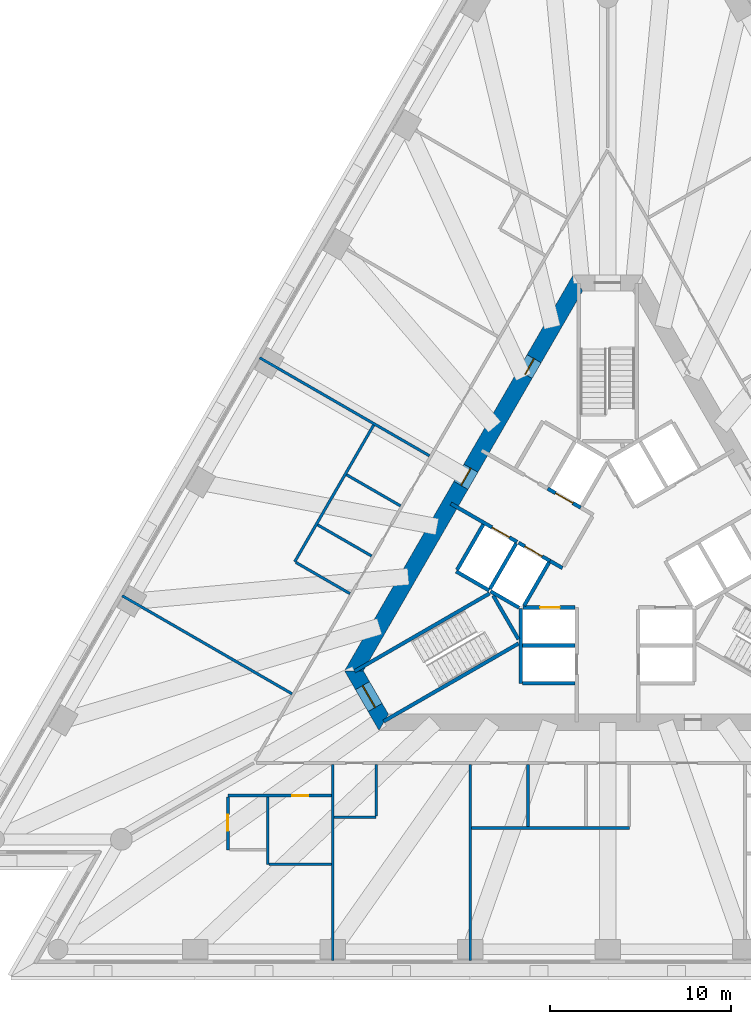
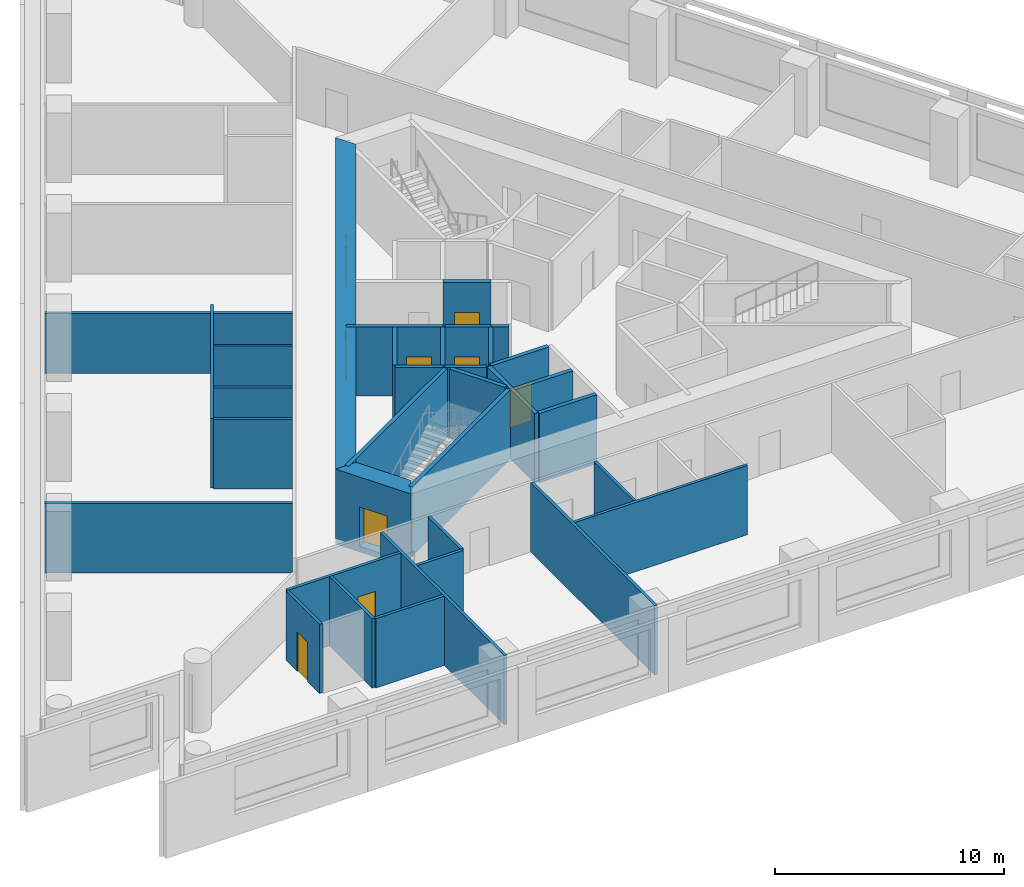
# One storey, part 3 of 11: 34 walls, 9 doors, 9 openings.
"""IFC4 building model written with IfcOpenShell, lengths in metres."""

from ifc_helpers import new_model, si_unit, direction, frame, frame_2d, origin, place, context, subcontext, project, spatial, polyline, rectangle, outline, extrude, material, layer, layer_set, type_object, element, fill, save


model = new_model("IFC4")

# Units and contexts
model_context = context("Model", 3, precision=1e-05, world=origin(), true_north=direction((0.0, 1.0)))
body_context = subcontext(model_context, "Body", "Model", "MODEL_VIEW")
ifc_project = project(units=[si_unit("LENGTHUNIT", "METRE"), si_unit("AREAUNIT", "SQUARE_METRE"), si_unit("VOLUMEUNIT", "CUBIC_METRE"), si_unit("PLANEANGLEUNIT", "RADIAN"), si_unit("MASSUNIT", "GRAM", prefix="KILO")], contexts=[model_context])

# Site, building, storey
site_placement = place(None, origin())
site = spatial("IfcSite", under=ifc_project, at=site_placement, CompositionType="ELEMENT")
building_placement = place(site_placement, origin())
building = spatial("IfcBuilding", under=site, at=building_placement, Name="Triada Interchange Tower", CompositionType="ELEMENT")
storey_placement = place(building_placement, frame((0.0, 0.0, 43.300048828125)))
storey = spatial("IfcBuildingStorey", under=building, at=storey_placement, Name="L08", CompositionType="ELEMENT", Elevation=43.300048828125)

# Walls
ifc_material_1 = material(Name="Concrete C30/37", Category="concrete")
ifc_layer_1 = layer(ifc_material_1, 0.199951171875)
ifc_layer_set_1 = layer_set([ifc_layer_1], Name="CORE WALL 200 EI 120")
wall_type_1 = type_object("IfcWallType", Name="CORE WALL 200 EI 120", PredefinedType="SOLIDWALL", material=ifc_layer_set_1)
wall_1_placement = place(storey_placement, frame((-8.3759765625, -0.70703125, 0.0), z_axis=(0.0, 0.0, 1.0), x_axis=(0.866067520717, -0.499927044236, 0.0)))
element("IfcWall", 1, at=wall_1_placement, inside=storey, type_object=wall_type_1, Name="Wall L06 46", PredefinedType="SOLIDWALL", context=body_context, shape_type="SweptSolid", body=[
    extrude(rectangle(XDim=2.100341796875, YDim=0.199951171875, at=frame_2d((1.05029296875, 0.0))), origin(), (0.0, 0.0, 1.0), 3.699951171875),
])
wall_2_placement = place(storey_placement, frame((-8.325927734375, -0.6201171875, 0.0), z_axis=(0.0, 0.0, 1.0), x_axis=(0.500023687443, 0.866011727401, 0.0)))
element("IfcWall", 2, at=wall_2_placement, inside=storey, type_object=wall_type_1, Name="Wall L06 47", PredefinedType="SOLIDWALL", context=body_context, shape_type="SweptSolid", body=[
    extrude(rectangle(XDim=2.899658203125, YDim=0.199951171875, at=frame_2d((1.44970703125, 0.0))), origin(), (0.0, 0.0, 1.0), 3.699951171875),
])
wall_3_placement = place(storey_placement, frame((-4.699951171875, -4.800048828125, 0.0), z_axis=(0.0, 0.0, 1.0), x_axis=(1.0, 0.0, 0.0)))
element("IfcWall", 3, at=wall_3_placement, inside=storey, type_object=wall_type_1, Name="Wall L06 48", PredefinedType="SOLIDWALL", context=body_context, shape_type="SweptSolid", body=[
    extrude(rectangle(XDim=2.89990234375, YDim=0.199951171875, at=frame_2d((1.449951171875, 0.0))), origin(), (0.0, 0.0, 1.0), 3.699951171875),
])
wall_4_placement = place(storey_placement, frame((-4.800048828125, -6.89990234375, 0.0), z_axis=(0.0, 0.0, 1.0), x_axis=(0.0, 1.0, 0.0)))
element("IfcWall", 4, at=wall_4_placement, inside=storey, type_object=wall_type_1, Name="Wall L06 50", PredefinedType="SOLIDWALL", context=body_context, shape_type="SweptSolid", body=[
    extrude(rectangle(XDim=4.130859375, YDim=0.199951171875, at=frame_2d((2.0654296875, 0.0))), origin(), (0.0, 0.0, 1.0), 3.699951171875),
])
wall_5_placement = place(storey_placement, frame((-4.699951171875, -6.89990234375, 0.0), z_axis=(0.0, 0.0, 1.0), x_axis=(1.0, 0.0, 0.0)))
element("IfcWall", 5, at=wall_5_placement, inside=storey, type_object=wall_type_1, Name="Wall L06 51", PredefinedType="SOLIDWALL", context=body_context, shape_type="SweptSolid", body=[
    extrude(rectangle(XDim=2.89990234375, YDim=0.199951171875, at=frame_2d((1.449951171875, 0.0))), origin(), (0.0, 0.0, 1.0), 3.699951171875),
])

# Wall, opening, door
wall_6_placement = place(storey_placement, frame((-4.676025390625, -2.699951171875, 0.0), z_axis=(0.0, 0.0, 1.0), x_axis=(1.0, 0.0, 0.0)))
wall_6 = element("IfcWall", 6, at=wall_6_placement, inside=storey, type_object=wall_type_1, Name="Wall L06 54", PredefinedType="SOLIDWALL", context=body_context, shape_type="SweptSolid", body=[
    extrude(rectangle(XDim=2.873046875, YDim=0.199951171875, at=frame_2d((1.4365234375, 0.0))), origin(), (0.0, 0.0, 1.0), 3.699951171875),
])
opening_1_placement = place(wall_6_placement, frame((0.93701171875, 0.0, 0.0)))
opening_1 = element("IfcOpeningElement", 7, at=opening_1_placement, cuts=wall_6, Name="Opening LD-LR3", PredefinedType="OPENING", context=body_context, shape_type="SweptSolid", body=[
    extrude(rectangle(XDim=1.10009765625, YDim=2.10009765625, at=frame_2d((0.550048828125, 1.050048828125))), frame((0.0, 0.10986328125, 0.0), z_axis=(0.0, -1.0, 0.0), x_axis=(1.0, 0.0, 0.0)), (0.0, 0.0, 1.0), 0.219970703125),
])
ifc_material_2 = material(Name="Steel S235 door leaf", Category="steel")
door_type_1 = type_object("IfcDoorType", Name="LIFT LANDING DOOR 1100 EI 120", OperationType="SLIDING_TO_LEFT", PredefinedType="DOOR", material=ifc_material_2)
door_1_placement = place(opening_1_placement, origin())
door_1 = element("IfcDoor", 8, at=door_1_placement, inside=storey, type_object=door_type_1, Name="LR3 landing door L08", OperationType="SLIDING_TO_LEFT", OverallHeight=2.10009765625, OverallWidth=1.10009765625, PredefinedType="DOOR", context=body_context, shape_type="SweptSolid", body=[
    extrude(rectangle(XDim=1.10009765625, YDim=2.10009765625, at=frame_2d((0.550048828125, 1.050048828125))), frame((0.0, 0.02490234375, 0.0), z_axis=(0.0, -1.0, 0.0), x_axis=(1.0, 0.0, 0.0)), (0.0, 0.0, 1.0), 0.050048828125),
])
fill(opening_1, door_1)

ifc_layer_2 = layer(ifc_material_1, 0.199951171875)
ifc_layer_set_2 = layer_set([ifc_layer_2], Name="CORE WALL 200 EI 180")
wall_type_2 = type_object("IfcWallType", Name="CORE WALL 200 EI 180", PredefinedType="SOLIDWALL", material=ifc_layer_set_2)
wall_7_placement = place(storey_placement, frame((-8.669921875, 3.04296875, 0.0), z_axis=(0.0, 0.0, 1.0), x_axis=(0.866029956157, -0.499992114976, 0.0)))
wall_7 = element("IfcWall", 9, at=wall_7_placement, inside=storey, type_object=wall_type_2, Name="Wall L06 68", PredefinedType="SOLIDWALL", context=body_context, shape_type="SweptSolid", body=[
    extrude(rectangle(XDim=4.23193359375, YDim=0.199951171875, at=frame_2d((2.115966796875, 0.0))), origin(), (0.0, 0.0, 1.0), 3.699951171875),
])
opening_2_placement = place(wall_7_placement, frame((2.6298828125, 0.0, 0.0)))
opening_2 = element("IfcOpeningElement", 10, at=opening_2_placement, cuts=wall_7, Name="Opening LD-SV1", PredefinedType="OPENING", context=body_context, shape_type="SweptSolid", body=[
    extrude(rectangle(XDim=1.10009765625, YDim=2.10009765625, at=frame_2d((0.550048828125, 1.050048828125))), frame((0.0, 0.10986328125, 0.0), z_axis=(0.0, -1.0, 0.0), x_axis=(1.0, 0.0, 0.0)), (0.0, 0.0, 1.0), 0.219970703125),
])
door_2_placement = place(opening_2_placement, origin())
door_2 = element("IfcDoor", 11, at=door_2_placement, inside=storey, type_object=door_type_1, Name="SV1 landing door L08", OperationType="SLIDING_TO_LEFT", OverallHeight=2.10009765625, OverallWidth=1.10009765625, PredefinedType="DOOR", context=body_context, shape_type="SweptSolid", body=[
    extrude(rectangle(XDim=1.10009765625, YDim=2.10009765625, at=frame_2d((0.550048828125, 1.050048828125))), frame((0.0, 0.02490234375, 0.0), z_axis=(0.0, -1.0, 0.0), x_axis=(1.0, 0.0, 0.0)), (0.0, 0.0, 1.0), 0.050048828125),
])
fill(opening_2, door_2)

# Walls
wall_8_placement = place(storey_placement, frame((-3.18798828125, -0.1220703125, 0.0), z_axis=(0.0, 0.0, 1.0), x_axis=(0.865705793592, -0.50055317294, 0.0)))
element("IfcWall", 12, at=wall_8_placement, inside=storey, type_object=wall_type_2, Name="Wall L06 69", PredefinedType="SOLIDWALL", context=body_context, shape_type="SweptSolid", body=[
    extrude(rectangle(XDim=0.796875, YDim=0.199951171875, at=frame_2d((0.3984375, 0.0))), origin(), (0.0, 0.0, 1.0), 3.699951171875),
])
wall_9_placement = place(storey_placement, frame((-6.507080078125, -1.669921875, 0.0), z_axis=(0.0, 0.0, 1.0), x_axis=(0.50012328804, 0.865954211699, 0.0)))
element("IfcWall", 13, at=wall_9_placement, inside=storey, type_object=wall_type_2, Name="Shaft wall FF1 L06 75", PredefinedType="SOLIDWALL", context=body_context, shape_type="SweptSolid", body=[
    extrude(rectangle(XDim=2.899658203125, YDim=0.199951171875, at=frame_2d((1.44970703125, 0.0))), origin(), (0.0, 0.0, 1.0), 3.699951171875),
])
wall_10_placement = place(storey_placement, frame((-6.469970703125, -1.806884765625, 0.0), z_axis=(0.0, 0.0, 1.0), x_axis=(0.865883195159, -0.500246231712, 0.0)))
element("IfcWall", 14, at=wall_10_placement, inside=storey, type_object=wall_type_2, Name="Shaft wall FF1 L06 76", PredefinedType="SOLIDWALL", context=body_context, shape_type="SweptSolid", body=[
    extrude(rectangle(XDim=1.8154296875, YDim=0.199951171875, at=frame_2d((0.90771484375, 0.0))), origin(), (0.0, 0.0, 1.0), 3.699951171875),
])

# Wall, opening, door
wall_11_placement = place(storey_placement, frame((-4.922119140625, 0.87890625, 0.0), z_axis=(0.0, 0.0, 1.0), x_axis=(0.866073918653, -0.499915960366, 0.0)))
wall_11 = element("IfcWall", 15, at=wall_11_placement, inside=storey, type_object=wall_type_2, Name="Shaft wall FF1 L06 77", PredefinedType="SOLIDWALL", context=body_context, shape_type="SweptSolid", body=[
    extrude(rectangle(XDim=2.002197265625, YDim=0.199951171875, at=frame_2d((1.0009765625, 0.0))), origin(), (0.0, 0.0, 1.0), 3.699951171875),
])
opening_3_placement = place(wall_11_placement, frame((0.402099609375, 0.0, 0.0)))
opening_3 = element("IfcOpeningElement", 16, at=opening_3_placement, cuts=wall_11, Name="Opening LD-FF1", PredefinedType="OPENING", context=body_context, shape_type="SweptSolid", body=[
    extrude(rectangle(XDim=1.10009765625, YDim=2.10009765625, at=frame_2d((0.550048828125, 1.050048828125))), frame((0.0, 0.10986328125, 0.0), z_axis=(0.0, -1.0, 0.0), x_axis=(1.0, 0.0, 0.0)), (0.0, 0.0, 1.0), 0.219970703125),
])
door_3_placement = place(opening_3_placement, origin())
door_3 = element("IfcDoor", 17, at=door_3_placement, inside=storey, type_object=door_type_1, Name="FF1 landing door L08", OperationType="SLIDING_TO_LEFT", OverallHeight=2.10009765625, OverallWidth=1.10009765625, PredefinedType="DOOR", context=body_context, shape_type="SweptSolid", body=[
    extrude(rectangle(XDim=1.10009765625, YDim=2.10009765625, at=frame_2d((0.550048828125, 1.050048828125))), frame((0.0, 0.02490234375, 0.0), z_axis=(0.0, -1.0, 0.0), x_axis=(1.0, 0.0, 0.0)), (0.0, 0.0, 1.0), 0.050048828125),
])
fill(opening_3, door_3)

# Wall
wall_12_placement = place(storey_placement, frame((-4.618896484375, -2.60009765625, 0.0), z_axis=(0.0, 0.0, 1.0), x_axis=(0.50009492287, 0.865970593103, 0.0)))
element("IfcWall", 18, at=wall_12_placement, inside=storey, type_object=wall_type_2, Name="Shaft wall FF1 L06 78", PredefinedType="SOLIDWALL", context=body_context, shape_type="SweptSolid", body=[
    extrude(rectangle(XDim=2.76123046875, YDim=0.199951171875, at=frame_2d((1.380615234375, 0.0))), origin(), (0.0, 0.0, 1.0), 3.699951171875),
])

# Wall, opening, door
wall_13_placement = place(storey_placement, frame((-3.30908203125, 3.873046875, 0.0), z_axis=(0.0, 0.0, 1.0), x_axis=(0.866098583652, -0.499873227325, 0.0)))
wall_13 = element("IfcWall", 19, at=wall_13_placement, inside=storey, type_object=wall_type_2, Name="Shaft wall FF2 L06 79", PredefinedType="SOLIDWALL", context=body_context, shape_type="SweptSolid", body=[
    extrude(rectangle(XDim=2.1025390625, YDim=0.199951171875, at=frame_2d((1.05126953125, 0.0))), origin(), (0.0, 0.0, 1.0), 3.699951171875),
])
opening_4_placement = place(wall_13_placement, frame((0.501953125, 0.0, 0.0)))
opening_4 = element("IfcOpeningElement", 20, at=opening_4_placement, cuts=wall_13, Name="Opening LD-FF2", PredefinedType="OPENING", context=body_context, shape_type="SweptSolid", body=[
    extrude(rectangle(XDim=1.10009765625, YDim=2.10009765625, at=frame_2d((0.550048828125, 1.050048828125))), frame((0.0, 0.10986328125, 0.0), z_axis=(0.0, -1.0, 0.0), x_axis=(1.0, 0.0, 0.0)), (0.0, 0.0, 1.0), 0.219970703125),
])
door_4_placement = place(opening_4_placement, origin())
door_4 = element("IfcDoor", 21, at=door_4_placement, inside=storey, type_object=door_type_1, Name="FF2 landing door L08", OperationType="SLIDING_TO_LEFT", OverallHeight=2.10009765625, OverallWidth=1.10009765625, PredefinedType="DOOR", context=body_context, shape_type="SweptSolid", body=[
    extrude(rectangle(XDim=1.10009765625, YDim=2.10009765625, at=frame_2d((0.550048828125, 1.050048828125))), frame((0.0, 0.02490234375, 0.0), z_axis=(0.0, -1.0, 0.0), x_axis=(1.0, 0.0, 0.0)), (0.0, 0.0, 1.0), 0.050048828125),
])
fill(opening_4, door_4)

# Walls
ifc_layer_3 = layer(ifc_material_1, 0.199951171875)
ifc_layer_set_3 = layer_set([ifc_layer_3], Name="CORE WALL 200 REI 240")
wall_type_3 = type_object("IfcWallType", Name="CORE WALL 200 REI 240", PredefinedType="SOLIDWALL", material=ifc_layer_set_3)
wall_14_placement = place(storey_placement, frame((-13.989990234375, -6.22900390625, 0.0), z_axis=(0.0, 0.0, 1.0), x_axis=(0.866060059011, 0.499939970583, 0.0)))
element("IfcWall", 22, at=wall_14_placement, inside=storey, type_object=wall_type_3, Name="Wall L06 84", PredefinedType="SOLIDWALL", context=body_context, shape_type="SweptSolid", body=[
    extrude(rectangle(XDim=8.61474609375, YDim=0.199951171875, at=frame_2d((4.307373046875, 0.0))), origin(), (0.0, 0.0, 1.0), 3.699951171875),
])
wall_15_placement = place(storey_placement, frame((-6.3291015625, -2.0380859375, 0.0), z_axis=(0.0, 0.0, 1.0), x_axis=(0.500200581029, -0.865909567298, 0.0)))
element("IfcWall", 23, at=wall_15_placement, inside=storey, type_object=wall_type_3, Name="Wall L06 85", PredefinedType="SOLIDWALL", context=body_context, shape_type="SweptSolid", body=[
    extrude(rectangle(XDim=2.799072265625, YDim=0.199951171875, at=frame_2d((1.3994140625, 0.0))), origin(), (0.0, 0.0, 1.0), 3.699951171875),
])
wall_16_placement = place(storey_placement, frame((-12.389892578125, -9.0009765625, 0.0), z_axis=(0.0, 0.0, 1.0), x_axis=(0.866010975815, 0.500024989144, 0.0)))
element("IfcWall", 24, at=wall_16_placement, inside=storey, type_object=wall_type_3, Name="Wall L06 86", PredefinedType="SOLIDWALL", context=body_context, shape_type="SweptSolid", body=[
    extrude(rectangle(XDim=8.615234375, YDim=0.199951171875, at=frame_2d((4.3076171875, 0.0))), origin(), (0.0, 0.0, 1.0), 3.699951171875),
])

# Wall, openings, doors
ifc_material_3 = material(Name="Concrete C70/85", Category="concrete")
ifc_layer_4 = layer(ifc_material_3, 0.89990234375)
ifc_layer_set_4 = layer_set([ifc_layer_4], Name="Core wall A 900")
wall_type_4 = type_object("IfcWallType", Name="Core wall A 900", PredefinedType="SHEAR", material=ifc_layer_set_4)
wall_17_placement = place(storey_placement, frame((-1.64501953125, 15.25, -0.300048828125), z_axis=(0.0, 0.0, 1.0), x_axis=(-0.500026485275, -0.866010111964, 0.0)))
wall_17 = element("IfcWall", 25, at=wall_17_placement, inside=storey, type_object=wall_type_4, Name="Core wall WA02 L08", PredefinedType="SHEAR", context=body_context, shape_type="SweptSolid", body=[
    extrude(outline(polyline([(-0.260009765625, -0.449951171875), (1.685302734375, -0.449951171875), (3.63037109375, -0.44970703125), (5.57568359375, -0.44970703125), (7.52099609375, -0.44970703125), (9.466064453125, -0.449462890625), (11.411376953125, -0.449462890625), (13.356689453125, -0.449462890625), (15.302001953125, -0.449462890625), (17.2470703125, -0.44921875), (19.1923828125, -0.44921875), (21.1376953125, -0.44921875), (23.082763671875, -0.448974609375), (25.028076171875, -0.448974609375), (24.509033203125, 0.449951171875), (22.643798828125, 0.449951171875), (20.7783203125, 0.44970703125), (18.9130859375, 0.44970703125), (17.0478515625, 0.44970703125), (15.182373046875, 0.449462890625), (13.317138671875, 0.449462890625), (11.451904296875, 0.449462890625), (9.586669921875, 0.449462890625), (7.72119140625, 0.44921875), (5.85595703125, 0.44921875), (3.99072265625, 0.44921875), (2.125244140625, 0.448974609375), (0.260009765625, 0.448974609375), (-0.260009765625, -0.449951171875)])), origin(), (0.0, 0.0, 1.0), 4.0),
])
opening_5_placement = place(wall_17_placement, frame((11.833984375, 0.0, 0.300048828125)))
opening_5 = element("IfcOpeningElement", 26, at=opening_5_placement, cuts=wall_17, Name="Opening D06-44", PredefinedType="OPENING", context=body_context, shape_type="SweptSolid", body=[
    extrude(rectangle(XDim=1.10009765625, YDim=2.10009765625, at=frame_2d((0.550048828125, 1.050048828125))), frame((0.0, 0.4599609375, 0.0), z_axis=(0.0, -1.0, 0.0), x_axis=(1.0, 0.0, 0.0)), (0.0, 0.0, 1.0), 0.919921875),
])
opening_6_placement = place(wall_17_placement, frame((4.842041015625, 0.0, 0.300048828125)))
opening_6 = element("IfcOpeningElement", 27, at=opening_6_placement, cuts=wall_17, Name="Opening D06-46", PredefinedType="OPENING", context=body_context, shape_type="SweptSolid", body=[
    extrude(rectangle(XDim=1.0, YDim=2.10009765625, at=frame_2d((0.5, 1.050048828125))), frame((0.0, 0.4599609375, 0.0), z_axis=(0.0, -1.0, 0.0), x_axis=(1.0, 0.0, 0.0)), (0.0, 0.0, 1.0), 0.919921875),
])
door_type_2 = type_object("IfcDoorType", Name="FIRE LOBBY DOOR 1100 EI2 90-C5S200", OperationType="NOTDEFINED", PredefinedType="DOOR", material=ifc_material_2)
door_5_placement = place(opening_5_placement, origin())
door_5 = element("IfcDoor", 28, at=door_5_placement, inside=storey, type_object=door_type_2, Name="Door D06-44 L08", OperationType="SINGLE_SWING_LEFT", OverallHeight=2.10009765625, OverallWidth=1.10009765625, PredefinedType="DOOR", context=body_context, shape_type="SweptSolid", body=[
    extrude(rectangle(XDim=1.10009765625, YDim=2.10009765625, at=frame_2d((0.550048828125, 1.050048828125))), frame((0.0, 0.02490234375, 0.0), z_axis=(0.0, -1.0, 0.0), x_axis=(1.0, 0.0, 0.0)), (0.0, 0.0, 1.0), 0.050048828125),
])
fill(opening_5, door_5)
door_type_3 = type_object("IfcDoorType", Name="SERVICE DOOR 1000 EI2 45-C5S200", OperationType="NOTDEFINED", PredefinedType="DOOR", material=ifc_material_2)
door_6_placement = place(opening_6_placement, origin())
door_6 = element("IfcDoor", 29, at=door_6_placement, inside=storey, type_object=door_type_3, Name="Door D06-46 L08", OperationType="SINGLE_SWING_LEFT", OverallHeight=2.10009765625, OverallWidth=1.0, PredefinedType="DOOR", context=body_context, shape_type="SweptSolid", body=[
    extrude(rectangle(XDim=1.0, YDim=2.10009765625, at=frame_2d((0.5, 1.050048828125))), frame((0.0, 0.02490234375, 0.0), z_axis=(0.0, -1.0, 0.0), x_axis=(1.0, 0.0, 0.0)), (0.0, 0.0, 1.0), 0.050048828125),
])
fill(opening_6, door_6)

# Wall, opening, door
wall_18_placement = place(storey_placement, frame((-14.030029296875, -6.199951171875, -0.300048828125), z_axis=(0.0, 0.0, 1.0), x_axis=(0.500111984565, -0.865960739811, 0.0)))
wall_18 = element("IfcWall", 30, at=wall_18_placement, inside=storey, type_object=wall_type_4, Name="Core wall WA03 L08", PredefinedType="SHEAR", context=body_context, shape_type="SweptSolid", body=[
    extrude(outline(polyline([(-0.260009765625, -0.448974609375), (1.6455078125, -0.449462890625), (3.551025390625, -0.449951171875), (3.031982421875, 0.449951171875), (1.64599609375, 0.449951171875), (0.260009765625, 0.449951171875), (-0.260009765625, -0.448974609375)])), origin(), (0.0, 0.0, 1.0), 4.0),
])
opening_7_placement = place(wall_18_placement, frame((0.946044921875, 0.0, 0.300048828125)))
opening_7 = element("IfcOpeningElement", 31, at=opening_7_placement, cuts=wall_18, Name="Opening D06-42", PredefinedType="OPENING", context=body_context, shape_type="SweptSolid", body=[
    extrude(rectangle(XDim=1.39990234375, YDim=2.10009765625, at=frame_2d((0.699951171875, 1.050048828125))), frame((0.0, 0.4599609375, 0.0), z_axis=(0.0, -1.0, 0.0), x_axis=(1.0, 0.0, 0.0)), (0.0, 0.0, 1.0), 0.919921875),
])
door_type_4 = type_object("IfcDoorType", Name="STAIR DOOR 1400 EI2 90-C5S200", OperationType="DOUBLE_DOOR_SINGLE_SWING", PredefinedType="DOOR", material=ifc_material_2)
door_7_placement = place(opening_7_placement, origin())
door_7 = element("IfcDoor", 32, at=door_7_placement, inside=storey, type_object=door_type_4, Name="Door D06-42 L08", OperationType="DOUBLE_DOOR_SINGLE_SWING", OverallHeight=2.10009765625, OverallWidth=1.39990234375, PredefinedType="DOOR", context=body_context, shape_type="SweptSolid", body=[
    extrude(rectangle(XDim=1.39990234375, YDim=2.10009765625, at=frame_2d((0.699951171875, 1.050048828125))), frame((0.0, 0.02490234375, 0.0), z_axis=(0.0, -1.0, 0.0), x_axis=(1.0, 0.0, 0.0)), (0.0, 0.0, 1.0), 0.050048828125),
])
fill(opening_7, door_7)

# Walls
ifc_material_4 = material(Name="Gypsum board partition")
ifc_layer_5 = layer(ifc_material_4, 0.14990234375)
ifc_layer_set_5 = layer_set([ifc_layer_5], Name="PARTITION 150 EI 180")
wall_type_5 = type_object("IfcWallType", Name="PARTITION 150 EI 180", PredefinedType="PARTITIONING", material=ifc_layer_set_5)
wall_19_placement = place(storey_placement, frame((-26.843017578125, -2.052001953125, 0.0), z_axis=(0.0, 0.0, 1.0), x_axis=(0.86602515287, -0.500000434597, 0.0)))
element("IfcWall", 33, at=wall_19_placement, inside=storey, type_object=wall_type_5, Name="Wall L06 3", PredefinedType="PARTITIONING", context=body_context, shape_type="SweptSolid", body=[
    extrude(rectangle(XDim=10.84619140625, YDim=0.14990234375, at=frame_2d((5.423095703125, 0.0))), origin(), (0.0, 0.0, 1.0), 3.699951171875),
])
wall_20_placement = place(storey_placement, frame((-19.242919921875, 11.110107421875, 0.0), z_axis=(0.0, 0.0, 1.0), x_axis=(0.866036004841, -0.499981637982, 0.0)))
element("IfcWall", 34, at=wall_20_placement, inside=storey, type_object=wall_type_5, Name="Wall L06 6", PredefinedType="PARTITIONING", context=body_context, shape_type="SweptSolid", body=[
    extrude(rectangle(XDim=10.8447265625, YDim=0.14990234375, at=frame_2d((5.42236328125, 0.0))), origin(), (0.0, 0.0, 1.0), 3.199951171875),
])
wall_21_placement = place(storey_placement, frame((-17.303955078125, -0.1708984375, 0.0), z_axis=(0.0, 0.0, 1.0), x_axis=(0.500054279689, 0.865994063124, 0.0)))
element("IfcWall", 35, at=wall_21_placement, inside=storey, type_object=wall_type_5, Name="Wall L06 8", PredefinedType="PARTITIONING", context=body_context, shape_type="SweptSolid", body=[
    extrude(rectangle(XDim=8.72509765625, YDim=0.14990234375, at=frame_2d((4.362548828125, 0.0))), origin(), (0.0, 0.0, 1.0), 3.699951171875),
])
for number, where, z_axis, x_axis, name in (
    (36, (-17.239013671875, -0.2080078125, 0.0), (0.0, 0.0, 1.0), (0.866031223622, -0.49998991961, 0.0), "Wall L06 9"),
    (37, (-16.0390625, 1.8701171875, 0.0), (0.0, 0.0, 1.0), (0.866031223622, -0.49998991961, 0.0), "Wall L06 10"),
):
    element("IfcWall", number, at=place(storey_placement, frame(where, z_axis=z_axis, x_axis=x_axis)), inside=storey, type_object=wall_type_5, Name=name, PredefinedType="PARTITIONING", context=body_context, shape_type="SweptSolid", body=[
        extrude(rectangle(XDim=3.4501953125, YDim=0.14990234375, at=frame_2d((1.72509765625, 0.0))), origin(), (0.0, 0.0, 1.0), 3.699951171875),
    ])
wall_22_placement = place(storey_placement, frame((-15.197998046875, -22.219970703125, 0.0), z_axis=(0.0, 0.0, 1.0), x_axis=(0.0, 1.0, 0.0)))
element("IfcWall", 38, at=wall_22_placement, inside=storey, type_object=wall_type_5, Name="Wall L06 12", PredefinedType="PARTITIONING", context=body_context, shape_type="SweptSolid", body=[
    extrude(rectangle(XDim=10.844970703125, YDim=0.14990234375, at=frame_2d((5.42236328125, 0.0))), origin(), (0.0, 0.0, 1.0), 3.699951171875),
])
wall_23_placement = place(storey_placement, frame((-15.123046875, -14.300048828125, 0.0), z_axis=(0.0, 0.0, 1.0), x_axis=(1.0, 0.0, 0.0)))
element("IfcWall", 39, at=wall_23_placement, inside=storey, type_object=wall_type_5, Name="Wall L06 13", PredefinedType="PARTITIONING", context=body_context, shape_type="SweptSolid", body=[
    extrude(rectangle(XDim=2.324951171875, YDim=0.14990234375, at=frame_2d((1.16259765625, 0.0))), origin(), (0.0, 0.0, 1.0), 3.699951171875),
])
wall_24_placement = place(storey_placement, frame((-12.798095703125, -14.22509765625, 0.0), z_axis=(0.0, 0.0, 1.0), x_axis=(0.0, 1.0, 0.0)))
element("IfcWall", 40, at=wall_24_placement, inside=storey, type_object=wall_type_5, Name="Wall L06 14", PredefinedType="PARTITIONING", context=body_context, shape_type="SweptSolid", body=[
    extrude(rectangle(XDim=2.85009765625, YDim=0.14990234375, at=frame_2d((1.425048828125, 0.0))), origin(), (0.0, 0.0, 1.0), 3.699951171875),
])
wall_25_placement = place(storey_placement, frame((-14.43896484375, 4.64111328125, 0.0), z_axis=(0.0, 0.0, 1.0), x_axis=(0.866031223622, -0.49998991961, 0.0)))
element("IfcWall", 41, at=wall_25_placement, inside=storey, type_object=wall_type_5, Name="Wall L06 15", PredefinedType="PARTITIONING", context=body_context, shape_type="SweptSolid", body=[
    extrude(rectangle(XDim=3.4501953125, YDim=0.14990234375, at=frame_2d((1.72509765625, 0.0))), origin(), (0.0, 0.0, 1.0), 3.699951171875),
])
wall_26_placement = place(storey_placement, frame((-7.59912109375, -22.219970703125, 0.0), z_axis=(0.0, 0.0, 1.0), x_axis=(0.0, 1.0, 0.0)))
element("IfcWall", 42, at=wall_26_placement, inside=storey, type_object=wall_type_5, Name="Wall L06 17", PredefinedType="PARTITIONING", context=body_context, shape_type="SweptSolid", body=[
    extrude(rectangle(XDim=10.844970703125, YDim=0.14990234375, at=frame_2d((5.42236328125, 0.0))), origin(), (0.0, 0.0, 1.0), 3.699951171875),
])
wall_27_placement = place(storey_placement, frame((-7.52392578125, -14.89990234375, 0.0), z_axis=(0.0, 0.0, 1.0), x_axis=(1.0, 0.0, 0.0)))
element("IfcWall", 43, at=wall_27_placement, inside=storey, type_object=wall_type_5, Name="Wall L06 18", PredefinedType="PARTITIONING", context=body_context, shape_type="SweptSolid", body=[
    extrude(rectangle(XDim=8.724853515625, YDim=0.14990234375, at=frame_2d((4.3623046875, 0.0))), origin(), (0.0, 0.0, 1.0), 3.699951171875),
])
wall_28_placement = place(storey_placement, frame((-4.39892578125, -14.824951171875, 0.0), z_axis=(0.0, 0.0, 1.0), x_axis=(0.0, 1.0, 0.0)))
element("IfcWall", 44, at=wall_28_placement, inside=storey, type_object=wall_type_5, Name="Wall L06 21", PredefinedType="PARTITIONING", context=body_context, shape_type="SweptSolid", body=[
    extrude(rectangle(XDim=3.449951171875, YDim=0.14990234375, at=frame_2d((1.72509765625, 0.0))), origin(), (0.0, 0.0, 1.0), 3.699951171875),
])
ifc_layer_6 = layer(ifc_material_4, 0.14990234375)
ifc_layer_set_6 = layer_set([ifc_layer_6], Name="PARTITION 150 EI 90")
wall_type_6 = type_object("IfcWallType", Name="PARTITION 150 EI 90", PredefinedType="PARTITIONING", material=ifc_layer_set_6)
wall_29_placement = place(storey_placement, frame((-18.798095703125, -16.89990234375, 0.0), z_axis=(0.0, 0.0, 1.0), x_axis=(0.0, 1.0, 0.0)))
element("IfcWall", 45, at=wall_29_placement, inside=storey, type_object=wall_type_6, Name="Wall L06 33", PredefinedType="PARTITIONING", context=body_context, shape_type="SweptSolid", body=[
    extrude(rectangle(XDim=3.724853515625, YDim=0.14990234375, at=frame_2d((1.8623046875, 0.0))), origin(), (0.0, 0.0, 1.0), 3.699951171875),
])

# Wall, opening, door
wall_30_placement = place(storey_placement, frame((-20.998046875, -13.10009765625, 0.0), z_axis=(0.0, 0.0, 1.0), x_axis=(1.0, 0.0, 0.0)))
wall_30 = element("IfcWall", 46, at=wall_30_placement, inside=storey, type_object=wall_type_6, Name="Wall L06 34", PredefinedType="PARTITIONING", context=body_context, shape_type="SweptSolid", body=[
    extrude(rectangle(XDim=5.72509765625, YDim=0.14990234375, at=frame_2d((2.862548828125, 0.0))), origin(), (0.0, 0.0, 1.0), 3.699951171875),
])
opening_8_placement = place(wall_30_placement, frame((3.550048828125, 0.0, 0.0)))
opening_8 = element("IfcOpeningElement", 47, at=opening_8_placement, cuts=wall_30, Name="Opening D06-12", PredefinedType="OPENING", context=body_context, shape_type="SweptSolid", body=[
    extrude(rectangle(XDim=0.89990234375, YDim=2.10009765625, at=frame_2d((0.449951171875, 1.050048828125))), frame((0.0, 0.0849609375, 0.0), z_axis=(0.0, -1.0, 0.0), x_axis=(1.0, 0.0, 0.0)), (0.0, 0.0, 1.0), 0.169921875),
])
door_type_5 = type_object("IfcDoorType", Name="ROOM DOOR 900 EI2 45-C5S200", OperationType="NOTDEFINED", PredefinedType="DOOR", material=ifc_material_2)
door_8_placement = place(opening_8_placement, origin())
door_8 = element("IfcDoor", 48, at=door_8_placement, inside=storey, type_object=door_type_5, Name="Door D06-12 L08", OperationType="SINGLE_SWING_LEFT", OverallHeight=2.10009765625, OverallWidth=0.89990234375, PredefinedType="DOOR", context=body_context, shape_type="SweptSolid", body=[
    extrude(rectangle(XDim=0.89990234375, YDim=2.10009765625, at=frame_2d((0.449951171875, 1.050048828125))), frame((0.0, 0.02490234375, 0.0), z_axis=(0.0, -1.0, 0.0), x_axis=(1.0, 0.0, 0.0)), (0.0, 0.0, 1.0), 0.050048828125),
])
fill(opening_8, door_8)

wall_31_placement = place(storey_placement, frame((-20.998046875, -16.10009765625, 0.0), z_axis=(0.0, 0.0, 1.0), x_axis=(0.0, 1.0, 0.0)))
wall_31 = element("IfcWall", 49, at=wall_31_placement, inside=storey, type_object=wall_type_6, Name="Wall L06 36", PredefinedType="PARTITIONING", context=body_context, shape_type="SweptSolid", body=[
    extrude(rectangle(XDim=2.925048828125, YDim=0.14990234375, at=frame_2d((1.46240234375, 0.0))), origin(), (0.0, 0.0, 1.0), 3.699951171875),
])
opening_9_placement = place(wall_31_placement, frame((1.050048828125, 0.0, 0.0)))
opening_9 = element("IfcOpeningElement", 50, at=opening_9_placement, cuts=wall_31, Name="Opening D06-13", PredefinedType="OPENING", context=body_context, shape_type="SweptSolid", body=[
    extrude(rectangle(XDim=0.89990234375, YDim=2.10009765625, at=frame_2d((0.449951171875, 1.050048828125))), frame((0.0, 0.0849609375, 0.0), z_axis=(0.0, -1.0, 0.0), x_axis=(1.0, 0.0, 0.0)), (0.0, 0.0, 1.0), 0.169921875),
])
door_type_6 = type_object("IfcDoorType", Name="SERVICE DOOR 900 EI2 45-C5S200", OperationType="NOTDEFINED", PredefinedType="DOOR", material=ifc_material_2)
door_9_placement = place(opening_9_placement, origin())
door_9 = element("IfcDoor", 51, at=door_9_placement, inside=storey, type_object=door_type_6, Name="Door D06-13 L08", OperationType="SINGLE_SWING_LEFT", OverallHeight=2.10009765625, OverallWidth=0.89990234375, PredefinedType="DOOR", context=body_context, shape_type="SweptSolid", body=[
    extrude(rectangle(XDim=0.89990234375, YDim=2.10009765625, at=frame_2d((0.449951171875, 1.050048828125))), frame((0.0, 0.02490234375, 0.0), z_axis=(0.0, -1.0, 0.0), x_axis=(1.0, 0.0, 0.0)), (0.0, 0.0, 1.0), 0.050048828125),
])
fill(opening_9, door_9)

# Wall
wall_32_placement = place(storey_placement, frame((-18.722900390625, -16.89990234375, 0.0), z_axis=(0.0, 0.0, 1.0), x_axis=(1.0, 0.0, 0.0)))
element("IfcWall", 52, at=wall_32_placement, inside=storey, type_object=wall_type_6, Name="Wall L06 38", PredefinedType="PARTITIONING", context=body_context, shape_type="SweptSolid", body=[
    extrude(rectangle(XDim=3.449951171875, YDim=0.14990234375, at=frame_2d((1.72509765625, 0.0))), origin(), (0.0, 0.0, 1.0), 3.699951171875),
])

save(model, "model.ifc")
